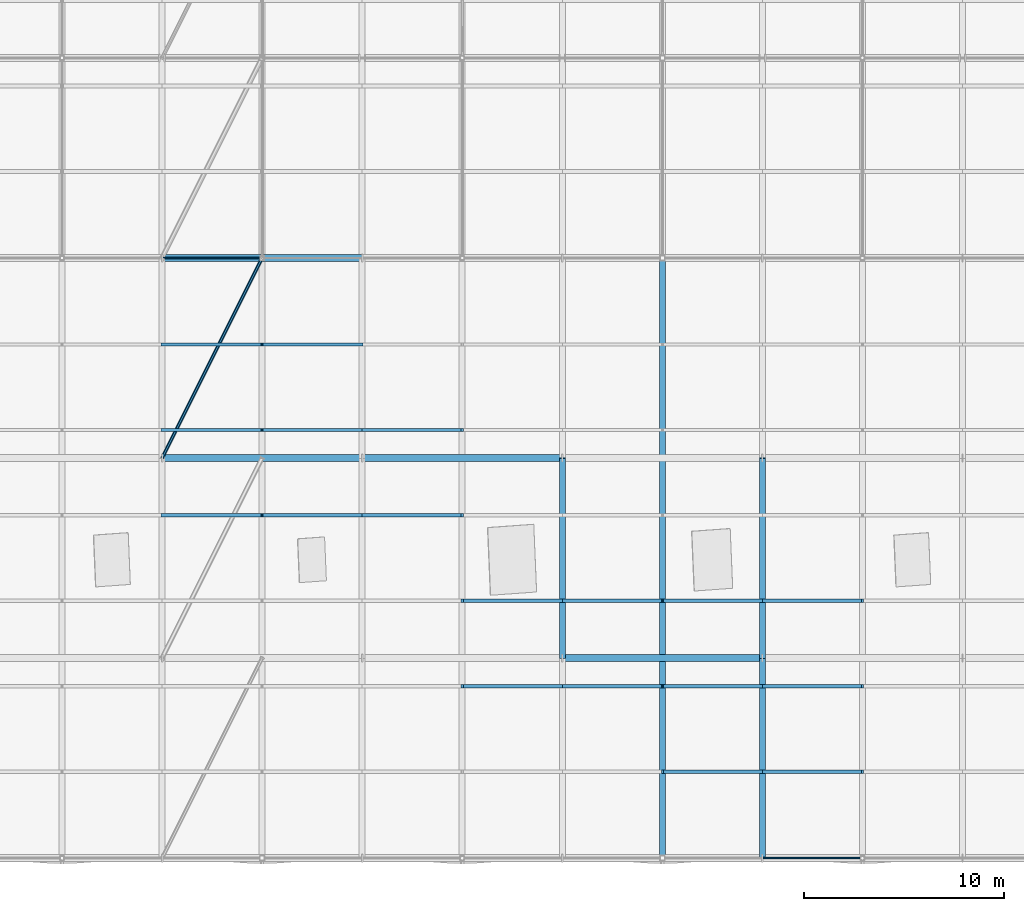
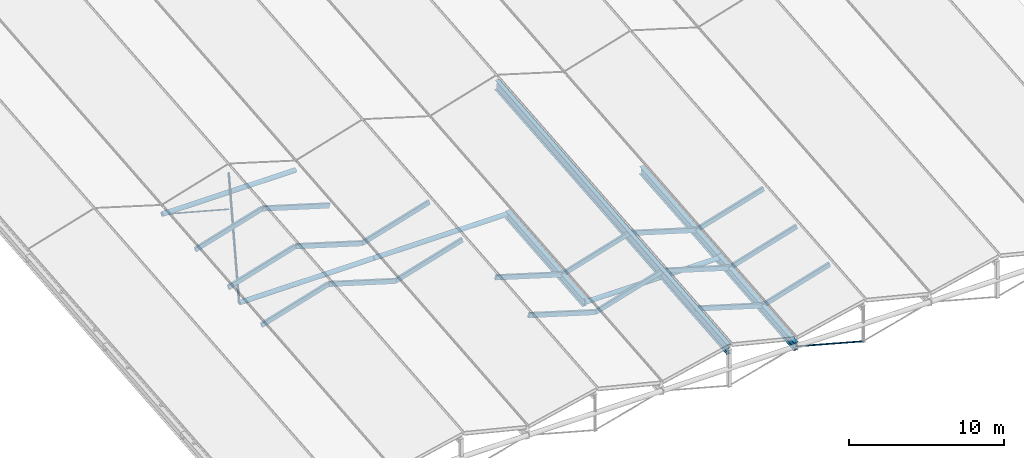
# One storey, part 15 of 90: 21 members, 8 beams.
"""IFC4 building model written with IfcOpenShell, lengths in metres."""

from ifc_helpers import new_model, si_unit, direction, frame, origin, origin_2d, place, context, subcontext, project, spatial, rectangle, circle, hollow_circle, i_section, extrude, material, material_profile, profile_set, type_object, element, save


model = new_model("IFC4")

# Units and contexts
model_context = context("Model", 3, precision=1e-05, world=origin(), true_north=direction((0.0, 1.0)))
body_context = subcontext(model_context, "Body", "Model", "MODEL_VIEW")
ifc_project = project(units=[si_unit("LENGTHUNIT", "METRE"), si_unit("AREAUNIT", "SQUARE_METRE"), si_unit("VOLUMEUNIT", "CUBIC_METRE"), si_unit("PLANEANGLEUNIT", "RADIAN"), si_unit("MASSUNIT", "GRAM", prefix="KILO"), si_unit("THERMODYNAMICTEMPERATUREUNIT", "KELVIN"), si_unit("POWERUNIT", "WATT")], contexts=[model_context])

# Site, building, storey
site_placement = place(None, origin())
site = spatial("IfcSite", under=ifc_project, at=site_placement, CompositionType="ELEMENT")
building_placement = place(site_placement, origin())
building = spatial("IfcBuilding", under=site, at=building_placement, Name="Korenveer Ferry Terminal", CompositionType="ELEMENT")
storey_placement = place(building_placement, frame((0.0, 0.0, 22.199951171875)))
storey = spatial("IfcBuildingStorey", under=building, at=storey_placement, Name="RF", CompositionType="ELEMENT", Elevation=22.199951171875)

# Beams
ifc_material_1 = material(Name="Steel S355", Category="steel")
ifc_material_profile_1 = material_profile(ifc_material_1, i_section(OverallWidth=0.300048828125, OverallDepth=0.64990234375, WebThickness=0.01611328125, FlangeThickness=0.031005859375, FilletRadius=0.027099609375, at=origin_2d()), Name="HEB 650")
ifc_profile_set_1 = profile_set([ifc_material_profile_1], Name="Steel S355")
beam_type_1 = type_object("IfcBeamType", Name="STR-BM-HEB650", PredefinedType="BEAM", material=ifc_profile_set_1)
for number, where, z_axis, x_axis, name in (
    (1, (83.0, 30.0, -10.49365234375), (0.0, 0.995903364261, 0.090423940715), (-1.0, 0.0, 0.0), "Folded roof valley girder 34"),
    (2, (93.0, 20.0, -11.401611328125), (0.0, 0.995903364261, 0.090423940715), (-1.0, 0.0, 0.0), "Folded roof valley girder 38"),
    (3, (93.0, 30.0, -10.49365234375), (0.0, 0.995903364261, 0.090423940715), (-1.0, 0.0, 0.0), "Folded roof valley girder 39"),
):
    element("IfcBeam", number, at=place(storey_placement, frame(where, z_axis=z_axis, x_axis=x_axis)), inside=storey, type_object=beam_type_1, Name=name, PredefinedType="BEAM", context=body_context, shape_type="SweptSolid", body=[
        extrude(i_section(OverallWidth=0.300048828125, OverallDepth=0.64990234375, WebThickness=0.01611328125, FlangeThickness=0.031005859375, FilletRadius=0.027099609375, at=origin_2d()), origin(), (0.0, 0.0, 1.0), 10.041015625),
    ])
ifc_material_profile_2 = material_profile(ifc_material_1, i_section(OverallWidth=0.300048828125, OverallDepth=0.800048828125, WebThickness=0.017578125, FlangeThickness=0.032958984375, FilletRadius=0.030029296875, at=origin_2d()), Name="HEB 800")
ifc_profile_set_2 = profile_set([ifc_material_profile_2], Name="Steel S355")
beam_type_2 = type_object("IfcBeamType", Name="STR-BM-HEB800", PredefinedType="BEAM", material=ifc_profile_set_2)
beam_placement = place(storey_placement, frame((88.0, 20.0, -9.891845703125), z_axis=(0.0, 0.995903364261, 0.090423940715), x_axis=(-1.0, 0.0, 0.0)))
element("IfcBeam", 4, at=beam_placement, inside=storey, type_object=beam_type_2, Name="Folded roof ridge girder 7", PredefinedType="BEAM", context=body_context, shape_type="SweptSolid", body=[
    extrude(i_section(OverallWidth=0.300048828125, OverallDepth=0.800048828125, WebThickness=0.017578125, FlangeThickness=0.032958984375, FilletRadius=0.030029296875, at=origin_2d()), origin(), (0.0, 0.0, 1.0), 30.123291015625),
])

# Members
ifc_material_profile_3 = material_profile(ifc_material_1, hollow_circle(Radius=0.084228515625, WallThickness=0.010009765625, at=origin_2d()), Name="CHS 168.3x10")
ifc_profile_set_3 = profile_set([ifc_material_profile_3], Name="Steel S355")
member_type_1 = type_object("IfcMemberType", Name="STR-BRC-CHS168", PredefinedType="BRACE", material=ifc_profile_set_3)
member_placement = place(storey_placement, frame((63.0, 40.0, -9.585693359375), z_axis=(0.437110045644, 0.874220091289, 0.211362342872), x_axis=(-0.894427191, 0.4472135955, 0.0)))
element("IfcMember", 5, at=member_placement, inside=storey, type_object=member_type_1, Name="Roof wind brace BRCRF-B1-Y40", PredefinedType="BRACE", context=body_context, shape_type="SweptSolid", body=[
    extrude(hollow_circle(Radius=0.084228515625, WallThickness=0.010009765625, at=origin_2d()), origin(), (0.0, 0.0, 1.0), 11.438720703125),
])
ifc_material_2 = material(Name="High-strength steel S460", Category="steel")
ifc_material_profile_4 = material_profile(ifc_material_2, circle(Radius=0.0380859375, at=origin_2d()), Name="ROD D76")
ifc_profile_set_4 = profile_set([ifc_material_profile_4], Name="High-strength steel S460")
member_type_2 = type_object("IfcMemberType", Name="STR-CBL-D76", PredefinedType="USERDEFINED", material=ifc_profile_set_4)
for number, where, z_axis, x_axis, name in (
    (6, (93.0, 20.0, -11.401611328125), (0.965424337217, 0.0, -0.260683426993), (0.0, 1.0, 0.0), "Roof tension tie cable 9"),
    (7, (63.0, 50.0, -8.677734375), (0.965436200058, 0.0, -0.260639489752), (0.0, 1.0, 0.0), "Roof tension tie cable 17"),
):
    element("IfcMember", number, at=place(storey_placement, frame(where, z_axis=z_axis, x_axis=x_axis)), inside=storey, type_object=member_type_2, Name=name, ObjectType="CABLE", PredefinedType="USERDEFINED", context=body_context, shape_type="SweptSolid", body=[
        extrude(circle(Radius=0.0380859375, at=origin_2d()), origin(), (0.0, 0.0, 1.0), 5.178955078125),
    ])
ifc_material_3 = material(Name="Glulam GL28h", Category="wood")
ifc_material_profile_5 = material_profile(ifc_material_3, rectangle(XDim=0.159912109375, YDim=0.360107421875, at=origin_2d()), Name="GL 160x360")
ifc_profile_set_5 = profile_set([ifc_material_profile_5], Name="Glulam GL28h")
member_type_3 = type_object("IfcMemberType", Name="STR-PUR-GL160", PredefinedType="PURLIN", material=ifc_profile_set_5)
for number, where, z_axis, x_axis, name in (
    (8, (63.0, 37.1357421875, -9.62451171875), (0.957310140112, 0.0, 0.289062788401), (0.0, 1.0, 0.0), "Folded roof glulam purlin 40"),
    (9, (63.0, 41.4072265625, -9.236572265625), (0.957310140112, 0.0, 0.289062788401), (0.0, 1.0, 0.0), "Folded roof glulam purlin 41"),
    (10, (63.0, 45.678466796875, -8.8486328125), (0.957323074362, 0.0, 0.289019949647), (0.0, 1.0, 0.0), "Folded roof glulam purlin 42"),
    (11, (68.0, 37.1357421875, -8.11474609375), (0.957310140112, 0.0, -0.289062788401), (0.0, 1.0, 0.0), "Folded roof glulam purlin 46"),
    (12, (68.0, 41.4072265625, -7.726806640625), (0.957310140112, 0.0, -0.289062788401), (0.0, 1.0, 0.0), "Folded roof glulam purlin 47"),
    (13, (68.0, 45.678466796875, -7.339111328125), (0.957323074362, 0.0, -0.289019949647), (0.0, 1.0, 0.0), "Folded roof glulam purlin 48"),
    (14, (73.0, 37.1357421875, -9.62451171875), (0.957310140112, 0.0, 0.289062788401), (0.0, 1.0, 0.0), "Folded roof glulam purlin 76"),
    (15, (73.0, 41.4072265625, -9.236572265625), (0.957310140112, 0.0, 0.289062788401), (0.0, 1.0, 0.0), "Folded roof glulam purlin 77"),
    (16, (78.0, 28.5927734375, -8.890380859375), (0.957310140112, 0.0, -0.289062788401), (0.0, 1.0, 0.0), "Folded roof glulam purlin 80"),
    (17, (78.0, 32.8642578125, -8.50244140625), (0.957310140112, 0.0, -0.289062788401), (0.0, 1.0, 0.0), "Folded roof glulam purlin 81"),
    (18, (83.0, 28.5927734375, -10.400146484375), (0.957310140112, 0.0, 0.289062788401), (0.0, 1.0, 0.0), "Folded roof glulam purlin 110"),
    (19, (83.0, 32.8642578125, -10.01220703125), (0.957310140112, 0.0, 0.289062788401), (0.0, 1.0, 0.0), "Folded roof glulam purlin 111"),
    (20, (88.0, 24.321533203125, -9.2783203125), (0.957323074362, 0.0, -0.289019949647), (0.0, 1.0, 0.0), "Folded roof glulam purlin 115"),
    (21, (88.0, 28.5927734375, -8.890380859375), (0.957310140112, 0.0, -0.289062788401), (0.0, 1.0, 0.0), "Folded roof glulam purlin 116"),
    (22, (88.0, 32.8642578125, -8.50244140625), (0.957310140112, 0.0, -0.289062788401), (0.0, 1.0, 0.0), "Folded roof glulam purlin 117"),
    (23, (93.0, 24.321533203125, -10.787841796875), (0.957323074362, 0.0, 0.289019949647), (0.0, 1.0, 0.0), "Folded roof glulam purlin 145"),
    (24, (93.0, 28.5927734375, -10.400146484375), (0.957310140112, 0.0, 0.289062788401), (0.0, 1.0, 0.0), "Folded roof glulam purlin 146"),
    (25, (93.0, 32.8642578125, -10.01220703125), (0.957310140112, 0.0, 0.289062788401), (0.0, 1.0, 0.0), "Folded roof glulam purlin 147"),
):
    element("IfcMember", number, at=place(storey_placement, frame(where, z_axis=z_axis, x_axis=x_axis)), inside=storey, type_object=member_type_3, Name=name, PredefinedType="PURLIN", context=body_context, shape_type="SweptSolid", body=[
        extrude(rectangle(XDim=0.159912109375, YDim=0.360107421875, at=origin_2d()), origin(), (0.0, 0.0, 1.0), 5.222900390625),
    ])

# Beams
ifc_material_profile_6 = material_profile(ifc_material_1, hollow_circle(Radius=0.177734375, WallThickness=0.01611328125, at=origin_2d()), Name="CHS 355.6x16")
ifc_profile_set_6 = profile_set([ifc_material_profile_6], Name="Steel S355")
beam_type_3 = type_object("IfcBeamType", Name="STR-RFG-CHS355", PredefinedType="USERDEFINED", material=ifc_profile_set_6)
for number, where, z_axis, x_axis, name in (
    (26, (83.02001953125, 30.0, -10.49365234375), (1.0, 0.0, 0.0), (0.0, 1.0, 0.0), "Roof transverse tie girder 85"),
    (27, (63.02001953125, 40.0, -9.585693359375), (1.0, 0.0, 0.0), (0.0, 1.0, 0.0), "Roof transverse tie girder 90"),
    (28, (73.02001953125, 40.0, -9.585693359375), (1.0, 0.0, 0.0), (0.0, 1.0, 0.0), "Roof transverse tie girder 91"),
    (29, (63.02001953125, 50.0, -8.677734375), (1.0, 0.0, 0.0), (0.0, 1.0, 0.0), "Roof transverse tie girder 97"),
):
    element("IfcBeam", number, at=place(storey_placement, frame(where, z_axis=z_axis, x_axis=x_axis)), inside=storey, type_object=beam_type_3, Name=name, ObjectType="ROOF GIRDER", PredefinedType="USERDEFINED", context=body_context, shape_type="SweptSolid", body=[
        extrude(hollow_circle(Radius=0.177734375, WallThickness=0.01611328125, at=origin_2d()), origin(), (0.0, 0.0, 1.0), 9.9599609375),
    ])

save(model, "model.ifc")
